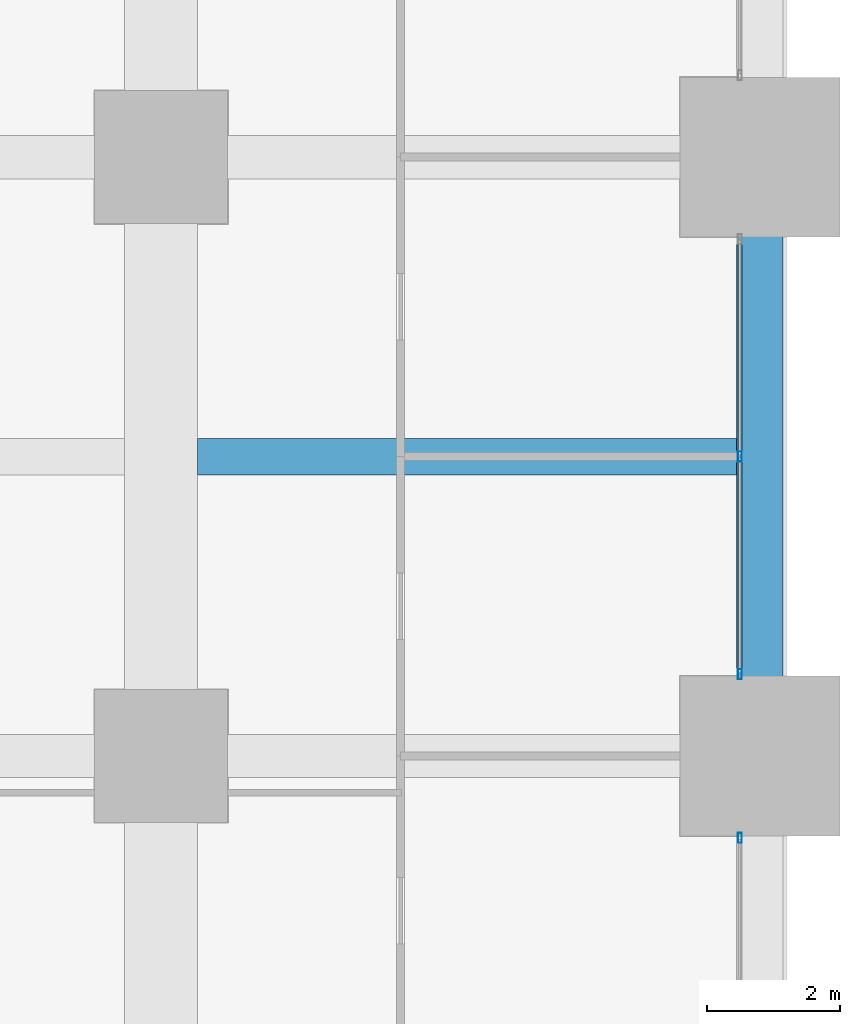
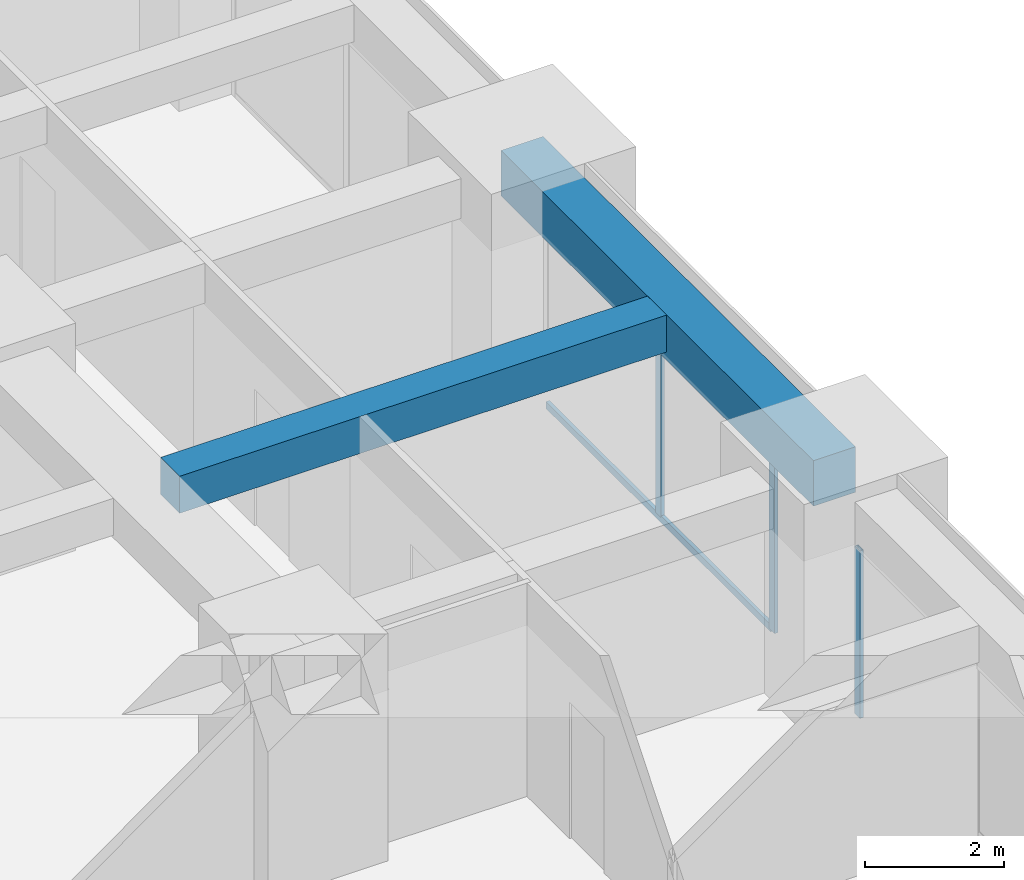
# One storey, part 21 of 41: 4 members, 2 beams, 2 elements without a shape of their own.
"""IFC4 building model written with IfcOpenShell, lengths in metres."""

from ifc_helpers import new_model, si_unit, direction, frame, origin, origin_2d, place, context, subcontext, project, spatial, rectangle, hollow_rectangle, extrude, material, material_profile, profile_set, type_object, element, aggregate, save


model = new_model("IFC4")

# Units and contexts
model_context = context("Model", 3, precision=1e-05, world=origin(), true_north=direction((0.0, 1.0)))
body_context = subcontext(model_context, "Body", "Model", "MODEL_VIEW")
ifc_project = project(units=[si_unit("LENGTHUNIT", "METRE"), si_unit("AREAUNIT", "SQUARE_METRE"), si_unit("VOLUMEUNIT", "CUBIC_METRE"), si_unit("PLANEANGLEUNIT", "RADIAN"), si_unit("MASSUNIT", "GRAM", prefix="KILO")], contexts=[model_context])

# Site, building, storey
site_placement = place(None, origin())
site = spatial("IfcSite", under=ifc_project, at=site_placement, CompositionType="ELEMENT")
building_placement = place(site_placement, origin())
building = spatial("IfcBuilding", under=site, at=building_placement, Name="Zorevar Civic Tower", CompositionType="ELEMENT")
storey_placement = place(building_placement, frame((0.0, 0.0, 113.0)))
storey = spatial("IfcBuildingStorey", under=building, at=storey_placement, Name="L27", CompositionType="ELEMENT", Elevation=113.0)

# Beam
ifc_material_1 = material(Name="Concrete C50/60", Category="concrete")
ifc_material_profile_1 = material_profile(ifc_material_1, rectangle(XDim=0.550048828125, YDim=0.64990234375, at=origin_2d()), Name="RC 550x650")
ifc_profile_set_1 = profile_set([ifc_material_profile_1], Name="Concrete C50/60")
beam_type_1 = type_object("IfcBeamType", Name="Beam RC 550x650", PredefinedType="BEAM", material=ifc_profile_set_1)
beam_1_placement = place(storey_placement, frame((54.550048828125, 22.5, 3.425048828125), z_axis=(1.0, 0.0, 0.0), x_axis=(0.0, 1.0, 0.0)))
element("IfcBeam", 1, at=beam_1_placement, inside=storey, type_object=beam_type_1, Name="Secondary beam L28", PredefinedType="BEAM", context=body_context, shape_type="SweptSolid", body=[
    extrude(rectangle(XDim=0.550048828125, YDim=0.64990234375, at=origin_2d()), origin(), (0.0, 0.0, 1.0), 8.099853515625),
])

# Curtain wall, member
ifc_material_2 = material(Name="Dark grey solar-control glass in black aluminium frame", Category="aluminium")
curtain_wall_type = type_object("IfcCurtainWallType", Name="Curtain wall CW3 mid zone", PredefinedType="NOTDEFINED", material=ifc_material_2)
curtain_wall_1_placement = place(storey_placement, origin())
curtain_wall_1 = element("IfcCurtainWall", 2, at=curtain_wall_1_placement, inside=storey, type_object=curtain_wall_type, Name="CW3 L27", PredefinedType="NOTDEFINED")
ifc_material_3 = material(Name="Aluminium, black anodised", Category="aluminium")
ifc_material_profile_2 = material_profile(ifc_material_3, hollow_rectangle(XDim=0.06005859375, YDim=0.14990234375, WallThickness=0.00390625, at=origin_2d()), Name="AL 150x60x4")
ifc_profile_set_2 = profile_set([ifc_material_profile_2], Name="Aluminium, black anodised")
member_type_1 = type_object("IfcMemberType", Name="CW3 mullion AL 150x60x4", PredefinedType="MULLION", material=ifc_profile_set_2)
member_1_placement = place(storey_placement, frame((62.699951171875, 16.77001953125, 0.0), z_axis=(0.0, 0.0, 1.0), x_axis=(-1.0, 0.0, 0.0)))
member_1 = element("IfcMember", 3, at=member_1_placement, type_object=member_type_1, Name="CW3 mullion 3", PredefinedType="MULLION", context=body_context, shape_type="SweptSolid", body=[
    extrude(hollow_rectangle(XDim=0.06005859375, YDim=0.14990234375, WallThickness=0.00390625, at=origin_2d()), origin(), (0.0, 0.0, 1.0), 2.949951171875),
])
aggregate(curtain_wall_1, [member_1])

# Curtain wall, members
curtain_wall_2_placement = place(storey_placement, origin())
curtain_wall_2 = element("IfcCurtainWall", 4, at=curtain_wall_2_placement, inside=storey, type_object=curtain_wall_type, Name="CW3 L27", PredefinedType="NOTDEFINED")
member_2_placement = place(storey_placement, frame((62.699951171875, 19.22998046875, 0.0), z_axis=(0.0, 0.0, 1.0), x_axis=(-1.0, 0.0, 0.0)))
member_2 = element("IfcMember", 5, at=member_2_placement, type_object=member_type_1, Name="CW3 mullion 1", PredefinedType="MULLION", context=body_context, shape_type="SweptSolid", body=[
    extrude(hollow_rectangle(XDim=0.06005859375, YDim=0.14990234375, WallThickness=0.00390625, at=origin_2d()), origin(), (0.0, 0.0, 1.0), 2.949951171875),
])
member_3_placement = place(storey_placement, frame((62.699951171875, 22.5, 0.06005859375), z_axis=(0.0, 0.0, 1.0), x_axis=(-1.0, 0.0, 0.0)))
member_3 = element("IfcMember", 6, at=member_3_placement, type_object=member_type_1, Name="CW3 mullion 2", PredefinedType="MULLION", context=body_context, shape_type="SweptSolid", body=[
    extrude(hollow_rectangle(XDim=0.06005859375, YDim=0.14990234375, WallThickness=0.00390625, at=origin_2d()), origin(), (0.0, 0.0, 1.0), 2.889892578125),
])
ifc_material_4 = material(Name="Aluminium, black anodised", Category="aluminium")
ifc_material_profile_3 = material_profile(ifc_material_4, hollow_rectangle(XDim=0.06005859375, YDim=0.1201171875, WallThickness=0.0029296875, at=origin_2d()), Name="AL 120x60x3")
ifc_profile_set_3 = profile_set([ifc_material_profile_3], Name="Aluminium, black anodised")
member_type_2 = type_object("IfcMemberType", Name="CW3 transom AL 120x60x3", PredefinedType="USERDEFINED", material=ifc_profile_set_3)
member_4_placement = place(storey_placement, frame((62.699951171875, 19.260009765625, 0.030029296875), z_axis=(0.0, 1.0, 0.0), x_axis=(-1.0, 0.0, 0.0)))
member_4 = element("IfcMember", 7, at=member_4_placement, type_object=member_type_2, Name="CW3 sill transom", ObjectType="TRANSOM", PredefinedType="USERDEFINED", context=body_context, shape_type="SweptSolid", body=[
    extrude(hollow_rectangle(XDim=0.06005859375, YDim=0.1201171875, WallThickness=0.0029296875, at=origin_2d()), origin(), (0.0, 0.0, 1.0), 6.47998046875),
])
aggregate(curtain_wall_2, [member_2, member_3, member_4])

# Beam
ifc_material_5 = material(Name="Concrete C50/60", Category="concrete")
ifc_material_profile_4 = material_profile(ifc_material_5, rectangle(XDim=0.699951171875, YDim=0.800048828125, at=origin_2d()), Name="RC 700x800")
ifc_profile_set_4 = profile_set([ifc_material_profile_4], Name="Concrete C50/60")
beam_type_2 = type_object("IfcBeamType", Name="Edge beam RC 700x800", PredefinedType="SPANDREL", material=ifc_profile_set_4)
beam_2_placement = place(storey_placement, frame((63.0, 18.0, 3.35009765625), z_axis=(0.0, 1.0, 0.0), x_axis=(-1.0, 0.0, 0.0)))
element("IfcBeam", 8, at=beam_2_placement, inside=storey, type_object=beam_type_2, Name="Edge beam L28", PredefinedType="SPANDREL", context=body_context, shape_type="SweptSolid", body=[
    extrude(rectangle(XDim=0.699951171875, YDim=0.800048828125, at=origin_2d()), origin(), (0.0, 0.0, 1.0), 9.0),
])

save(model, "model.ifc")
